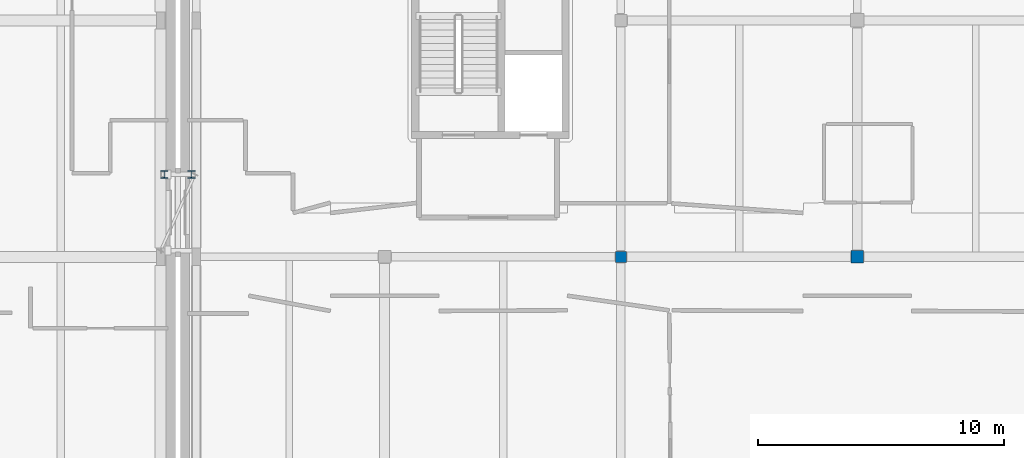
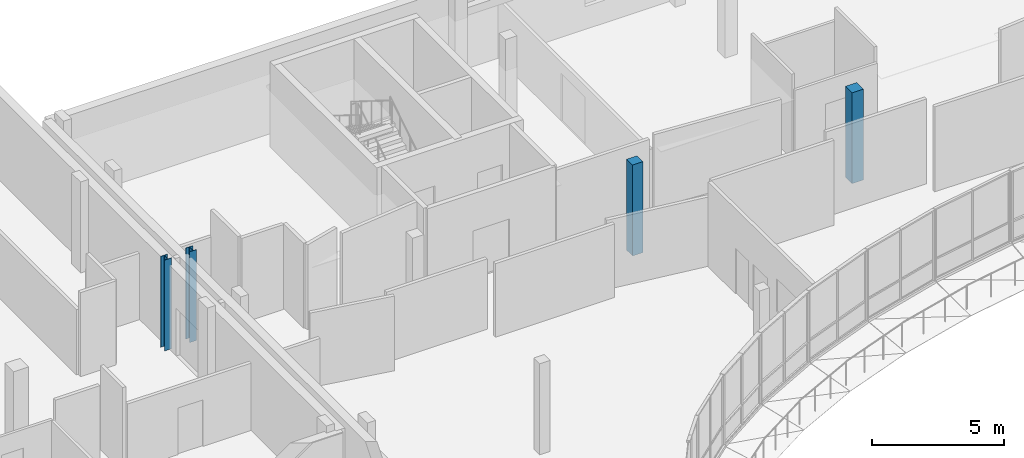
# One storey, part 6 of 73: 4 columns.
"""IFC4 building model written with IfcOpenShell, lengths in metres."""

from ifc_helpers import new_model, si_unit, direction, frame, origin, origin_2d, place, context, subcontext, project, spatial, rectangle, i_section, extrude, material, material_profile, profile_set, type_object, element, save


model = new_model("IFC4")

# Units and contexts
model_context = context("Model", 3, precision=1e-05, world=origin(), true_north=direction((0.0, 1.0)))
body_context = subcontext(model_context, "Body", "Model", "MODEL_VIEW")
ifc_project = project(units=[si_unit("LENGTHUNIT", "METRE"), si_unit("AREAUNIT", "SQUARE_METRE"), si_unit("VOLUMEUNIT", "CUBIC_METRE"), si_unit("PLANEANGLEUNIT", "RADIAN"), si_unit("MASSUNIT", "GRAM", prefix="KILO")], contexts=[model_context])

# Site, building, storey
site_placement = place(None, origin())
site = spatial("IfcSite", under=ifc_project, at=site_placement, CompositionType="ELEMENT")
building_placement = place(site_placement, origin())
building = spatial("IfcBuilding", under=site, at=building_placement, Name="Mzevani Central Library", CompositionType="ELEMENT")
storey_placement = place(building_placement, frame((0.0, 0.0, 9.60009765625)))
storey = spatial("IfcBuildingStorey", under=building, at=storey_placement, Name="L02", CompositionType="ELEMENT", Elevation=9.60009765625)

# Columns
ifc_material_1 = material(Name="Steel S355J2", Category="steel")
ifc_material_profile_1 = material_profile(ifc_material_1, i_section(OverallWidth=0.300048828125, OverallDepth=0.300048828125, WebThickness=0.010986328125, FlangeThickness=0.01904296875, FilletRadius=0.027099609375, at=origin_2d()), Name="HEB 300")
ifc_profile_set_1 = profile_set([ifc_material_profile_1], Name="Steel S355J2")
column_type_1 = type_object("IfcColumnType", Name="Atrium Steel Column HEB 300", PredefinedType="COLUMN", material=ifc_profile_set_1)
for number, where, z_axis, x_axis, name in (
    (1, (45.449951171875, 103.35009765625, 0.0), (0.0, 0.0, 1.0), (1.0, 0.0, 0.0), "L02 Seismic Joint Corbel Column 4"),
    (2, (46.550048828125, 103.35009765625, 0.0), (0.0, 0.0, 1.0), (1.0, 0.0, 0.0), "L02 Seismic Joint Corbel Column 6"),
):
    element("IfcColumn", number, at=place(storey_placement, frame(where, z_axis=z_axis, x_axis=x_axis)), inside=storey, type_object=column_type_1, Name=name, PredefinedType="COLUMN", context=body_context, shape_type="SweptSolid", body=[
        extrude(i_section(OverallWidth=0.300048828125, OverallDepth=0.300048828125, WebThickness=0.010986328125, FlangeThickness=0.01904296875, FilletRadius=0.027099609375, at=origin_2d()), origin(), (0.0, 0.0, 1.0), 4.199951171875),
    ])
ifc_material_2 = material(Name="Concrete C40/50", Category="concrete")
ifc_material_profile_2 = material_profile(ifc_material_2, rectangle(XDim=0.449951171875, YDim=0.449951171875, at=origin_2d()), Name="RC 450x450")
ifc_profile_set_2 = profile_set([ifc_material_profile_2], Name="Concrete C40/50")
column_type_2 = type_object("IfcColumnType", Name="Column RC 450x450", PredefinedType="COLUMN", material=ifc_profile_set_2)
column_1_placement = place(storey_placement, frame((64.0, 100.0, 0.0), z_axis=(0.0, 0.0, 1.0), x_axis=(1.0, 0.0, 0.0)))
element("IfcColumn", 3, at=column_1_placement, inside=storey, type_object=column_type_2, Name="L02 V3 Column C-03 (111)", PredefinedType="COLUMN", context=body_context, shape_type="SweptSolid", body=[
    extrude(rectangle(XDim=0.449951171875, YDim=0.449951171875, at=origin_2d()), origin(), (0.0, 0.0, 1.0), 4.199951171875),
])
ifc_material_profile_3 = material_profile(ifc_material_2, rectangle(XDim=0.5, YDim=0.5, at=origin_2d()), Name="RC 500x500")
ifc_profile_set_3 = profile_set([ifc_material_profile_3], Name="Concrete C40/50")
column_type_3 = type_object("IfcColumnType", Name="Column RC 500x500", PredefinedType="COLUMN", material=ifc_profile_set_3)
column_2_placement = place(storey_placement, frame((73.60009765625, 100.0, 0.0), z_axis=(0.0, 0.0, 1.0), x_axis=(1.0, 0.0, 0.0)))
element("IfcColumn", 4, at=column_2_placement, inside=storey, type_object=column_type_3, Name="L02 V3 Column C-04 (115)", PredefinedType="COLUMN", context=body_context, shape_type="SweptSolid", body=[
    extrude(rectangle(XDim=0.5, YDim=0.5, at=origin_2d()), origin(), (0.0, 0.0, 1.0), 4.199951171875),
])

save(model, "model.ifc")
